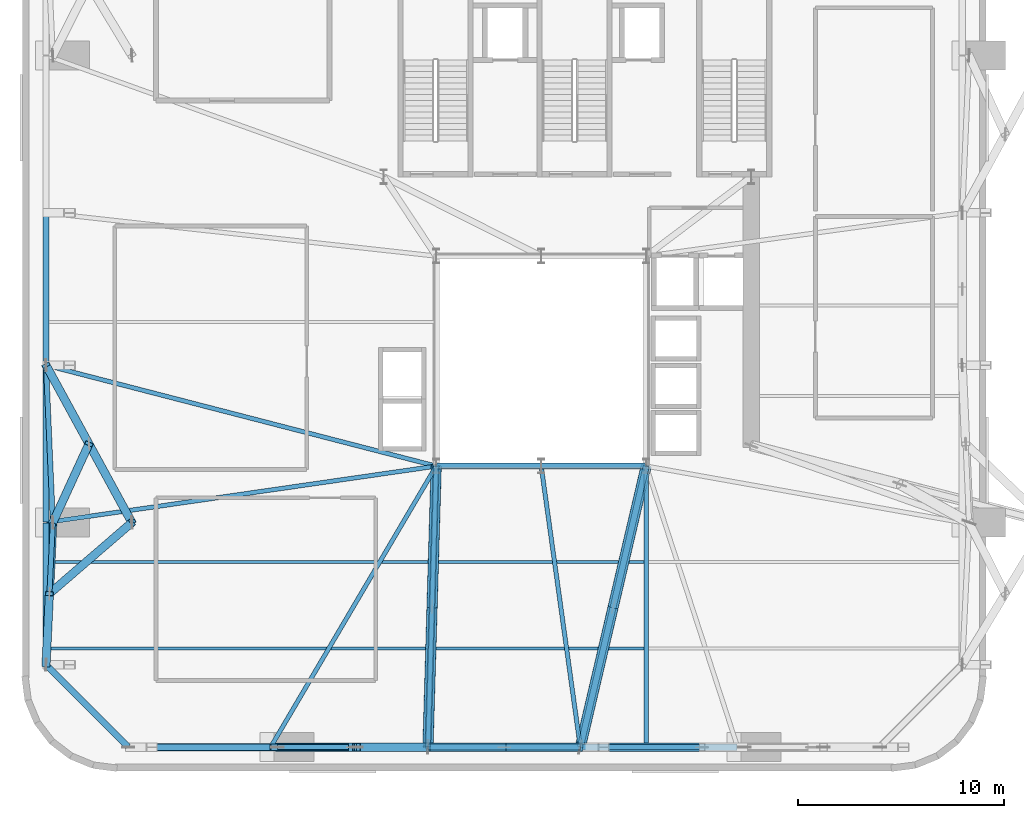
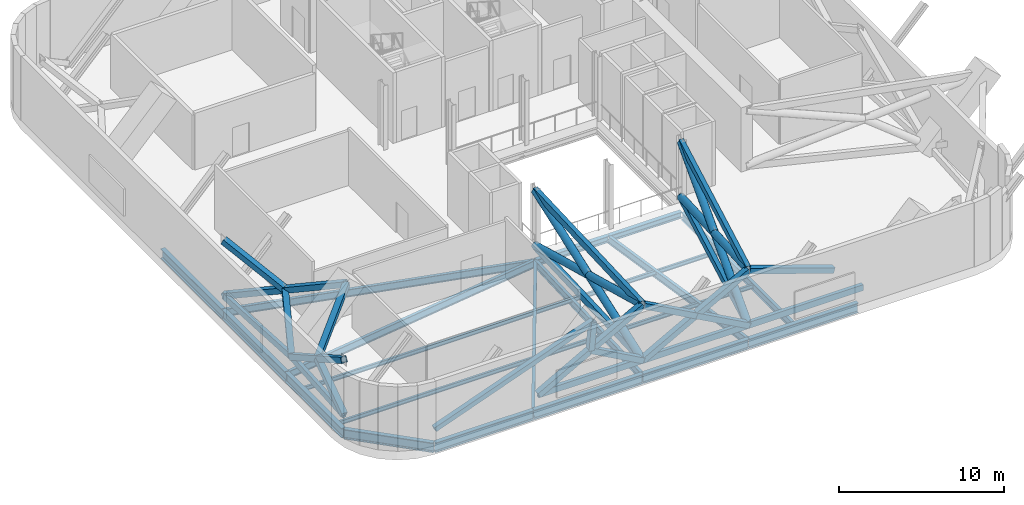
# One storey, part 3 of 14: 29 members, 18 beams.
"""IFC4 building model written with IfcOpenShell, lengths in metres."""

from ifc_helpers import new_model, si_unit, direction, frame, origin, origin_2d, place, context, subcontext, project, spatial, hollow_rectangle, hollow_circle, i_section, extrude, source, transform, mapped, material, material_profile, profile_set, type_object, element, save


model = new_model("IFC4")

# Units and contexts
model_context = context("Model", 3, precision=1e-05, world=origin(), true_north=direction((0.0, 1.0)))
body_context = subcontext(model_context, "Body", "Model", "MODEL_VIEW")
ifc_project = project(units=[si_unit("LENGTHUNIT", "METRE"), si_unit("AREAUNIT", "SQUARE_METRE"), si_unit("VOLUMEUNIT", "CUBIC_METRE"), si_unit("PLANEANGLEUNIT", "RADIAN"), si_unit("MASSUNIT", "GRAM", prefix="KILO")], contexts=[model_context])

# Site, building, storey
site_placement = place(None, origin())
site = spatial("IfcSite", under=ifc_project, at=site_placement, CompositionType="ELEMENT")
building_placement = place(site_placement, origin())
building = spatial("IfcBuilding", under=site, at=building_placement, Name="Vardaveli Station Tower", CompositionType="ELEMENT")
storey_placement = place(building_placement, frame((0.0, 0.0, 237.300048828125)))
storey = spatial("IfcBuildingStorey", under=building, at=storey_placement, Name="L61", CompositionType="ELEMENT", Elevation=237.300048828125)

# Beams
ifc_material_1 = material(Name="Structural steel S355J2", Category="steel")
ifc_material_profile_1 = material_profile(ifc_material_1, i_section(OverallWidth=0.300048828125, OverallDepth=0.449951171875, WebThickness=0.013916015625, FlangeThickness=0.02587890625, FilletRadius=0.027099609375, at=origin_2d()), Name="HEB 450")
ifc_profile_set_1 = profile_set([ifc_material_profile_1], Name="Structural steel S355J2")
beam_type_1 = type_object("IfcBeamType", Name="BM-HEB450", PredefinedType="BEAM", material=ifc_profile_set_1)
shared_shape_1 = source(origin(), body_context, "Body", "SweptSolid", [
    extrude(i_section(OverallWidth=0.300048828125, OverallDepth=0.449951171875, WebThickness=0.013916015625, FlangeThickness=0.02587890625, FilletRadius=0.027099609375, at=origin_2d()), origin(), (0.0, 0.0, 1.0), 5.06005859375),
])
beam_1_placement = place(storey_placement, frame((31.219970703125, 16.60009765625, -0.875), z_axis=(1.0, 0.0, 0.0), x_axis=(0.0, 1.0, 0.0)))
element("IfcBeam", 1, at=beam_1_placement, inside=storey, type_object=beam_type_1, Name="ABM-L61-01", PredefinedType="BEAM", context=body_context, shape_type="MappedRepresentation", body=[
    mapped(shared_shape_1, transform((0.0, 0.0, 0.0), scale=1.0)),
])
shared_shape_2 = source(origin(), body_context, "Body", "SweptSolid", [
    extrude(i_section(OverallWidth=0.300048828125, OverallDepth=0.449951171875, WebThickness=0.013916015625, FlangeThickness=0.02587890625, FilletRadius=0.027099609375, at=origin_2d()), origin(), (0.0, 0.0, 1.0), 5.059814453125),
])
beam_2_placement = place(storey_placement, frame((36.320068359375, 16.60009765625, -0.875), z_axis=(1.0, 0.0, 0.0), x_axis=(0.0, 1.0, 0.0)))
element("IfcBeam", 2, at=beam_2_placement, inside=storey, type_object=beam_type_1, Name="ABM-L61-02", PredefinedType="BEAM", context=body_context, shape_type="MappedRepresentation", body=[
    mapped(shared_shape_2, transform((0.0, 0.0, 0.0), scale=1.0)),
])
ifc_material_profile_2 = material_profile(ifc_material_1, i_section(OverallWidth=0.2099609375, OverallDepth=0.550048828125, WebThickness=0.010986328125, FlangeThickness=0.01708984375, FilletRadius=0.02392578125, at=origin_2d()), Name="IPE 550")
ifc_profile_set_2 = profile_set([ifc_material_profile_2], Name="Structural steel S355J2")
beam_type_2 = type_object("IfcBeamType", Name="BM-IPE550", PredefinedType="BEAM", material=ifc_profile_set_2)
shared_shape_3 = source(origin(), body_context, "Body", "SweptSolid", [
    extrude(i_section(OverallWidth=0.2099609375, OverallDepth=0.550048828125, WebThickness=0.010986328125, FlangeThickness=0.01708984375, FilletRadius=0.02392578125, at=origin_2d()), origin(), (0.0, 0.0, 1.0), 13.469970703125),
])
beam_3_placement = place(storey_placement, frame((41.39990234375, 2.989990234375, -0.925048828125), z_axis=(0.0, 1.0, 0.0), x_axis=(-1.0, 0.0, 0.0)))
element("IfcBeam", 3, at=beam_3_placement, inside=storey, type_object=beam_type_2, Name="NSM-L61-S2", PredefinedType="BEAM", context=body_context, shape_type="MappedRepresentation", body=[
    mapped(shared_shape_3, transform((0.0, 0.0, 0.0), scale=1.0)),
])
ifc_material_2 = material(Name="Structural steel S460M", Category="steel")
ifc_material_profile_3 = material_profile(ifc_material_2, i_section(OverallWidth=0.303955078125, OverallDepth=0.716064453125, WebThickness=0.02099609375, FlangeThickness=0.0400390625, FilletRadius=0.027099609375, at=origin_2d()), Name="HEM 700")
ifc_profile_set_3 = profile_set([ifc_material_profile_3], Name="Structural steel S460M")
beam_type_3 = type_object("IfcBeamType", Name="BM-HEM700", PredefinedType="BEAM", material=ifc_profile_set_3)
shared_shape_4 = source(origin(), body_context, "Body", "SweptSolid", [
    extrude(i_section(OverallWidth=0.303955078125, OverallDepth=0.716064453125, WebThickness=0.02099609375, FlangeThickness=0.0400390625, FilletRadius=0.027099609375, at=origin_2d()), origin(), (0.0, 0.0, 1.0), 7.60009765625),
])
for number, where, z_axis, x_axis, name in (
    (4, (23.179931640625, 2.949951171875, -1.008056640625), (1.0, 0.0, 0.0), (0.0, 1.0, 0.0), "RBM-L61-01"),
    (5, (38.219970703125, 2.949951171875, -1.008056640625), (1.0, 0.0, 0.0), (0.0, 1.0, 0.0), "RBM-L61-03"),
    (6, (12.25, 21.47998046875, -1.008056640625), (0.0, -1.0, 0.0), (1.0, 0.0, 0.0), "RBM-L61-21"),
):
    element("IfcBeam", number, at=place(storey_placement, frame(where, z_axis=z_axis, x_axis=x_axis)), inside=storey, type_object=beam_type_3, Name=name, PredefinedType="BEAM", context=body_context, shape_type="MappedRepresentation", body=[
        mapped(shared_shape_4, transform((0.0, 0.0, 0.0), scale=1.0)),
    ])
shared_shape_5 = source(origin(), body_context, "Body", "SweptSolid", [
    extrude(i_section(OverallWidth=0.303955078125, OverallDepth=0.716064453125, WebThickness=0.02099609375, FlangeThickness=0.0400390625, FilletRadius=0.027099609375, at=origin_2d()), origin(), (0.0, 0.0, 1.0), 7.35986328125),
])
for number, where, z_axis, x_axis, name in (
    (7, (30.820068359375, 2.949951171875, -1.008056640625), (1.0, 0.0, 0.0), (0.0, 1.0, 0.0), "RBM-L61-02"),
    (8, (12.25, 28.8798828125, -1.008056640625), (0.0, -1.0, 0.0), (1.0, 0.0, 0.0), "RBM-L61-20"),
):
    element("IfcBeam", number, at=place(storey_placement, frame(where, z_axis=z_axis, x_axis=x_axis)), inside=storey, type_object=beam_type_3, Name=name, PredefinedType="BEAM", context=body_context, shape_type="MappedRepresentation", body=[
        mapped(shared_shape_5, transform((0.0, 0.0, 0.0), scale=1.0)),
    ])
shared_shape_6 = source(origin(), body_context, "Body", "SweptSolid", [
    extrude(i_section(OverallWidth=0.303955078125, OverallDepth=0.716064453125, WebThickness=0.02099609375, FlangeThickness=0.0400390625, FilletRadius=0.027099609375, at=origin_2d()), origin(), (0.0, 0.0, 1.0), 6.869873046875),
])
beam_4_placement = place(storey_placement, frame((16.27001953125, 2.949951171875, -1.008056640625), z_axis=(1.0, 0.0, 0.0), x_axis=(0.0, 1.0, 0.0)))
element("IfcBeam", 9, at=beam_4_placement, inside=storey, type_object=beam_type_3, Name="RBM-L61-24", PredefinedType="BEAM", context=body_context, shape_type="MappedRepresentation", body=[
    mapped(shared_shape_6, transform((0.0, 0.0, 0.0), scale=1.0)),
])
shared_shape_7 = source(origin(), body_context, "Body", "SweptSolid", [
    extrude(i_section(OverallWidth=0.303955078125, OverallDepth=0.716064453125, WebThickness=0.02099609375, FlangeThickness=0.0400390625, FilletRadius=0.027099609375, at=origin_2d()), origin(), (0.0, 0.0, 1.0), 5.61669921875),
])
beam_5_placement = place(storey_placement, frame((12.26416015625, 6.935791015625, -1.008056640625), z_axis=(0.707106781187, -0.707106781187, 0.0), x_axis=(0.707106781187, 0.707106781187, 0.0)))
element("IfcBeam", 10, at=beam_5_placement, inside=storey, type_object=beam_type_3, Name="RBM-L61-23", PredefinedType="BEAM", context=body_context, shape_type="MappedRepresentation", body=[
    mapped(shared_shape_7, transform((0.0, 0.0, 0.0), scale=1.0)),
])
shared_shape_8 = source(origin(), body_context, "Body", "SweptSolid", [
    extrude(i_section(OverallWidth=0.303955078125, OverallDepth=0.716064453125, WebThickness=0.02099609375, FlangeThickness=0.0400390625, FilletRadius=0.027099609375, at=origin_2d()), origin(), (0.0, 0.0, 1.0), 6.8701171875),
])
beam_6_placement = place(storey_placement, frame((12.25, 13.840087890625, -1.008056640625), z_axis=(0.0, -1.0, 0.0), x_axis=(1.0, 0.0, 0.0)))
element("IfcBeam", 11, at=beam_6_placement, inside=storey, type_object=beam_type_3, Name="RBM-L61-22", PredefinedType="BEAM", context=body_context, shape_type="MappedRepresentation", body=[
    mapped(shared_shape_8, transform((0.0, 0.0, 0.0), scale=1.0)),
])
shared_shape_9 = source(origin(), body_context, "Body", "SweptSolid", [
    extrude(i_section(OverallWidth=0.2099609375, OverallDepth=0.550048828125, WebThickness=0.010986328125, FlangeThickness=0.01708984375, FilletRadius=0.02392578125, at=origin_2d()), origin(), (0.0, 0.0, 1.0), 15.8017578125),
])
beam_7_placement = place(storey_placement, frame((23.170166015625, 2.96728515625, -0.925048828125), z_axis=(0.507521713546, 0.86163896748, 0.0), x_axis=(-0.86163896748, 0.507521713546, 0.0)))
element("IfcBeam", 12, at=beam_7_placement, inside=storey, type_object=beam_type_2, Name="GBM-L61-01", PredefinedType="BEAM", context=body_context, shape_type="MappedRepresentation", body=[
    mapped(shared_shape_9, transform((0.0, 0.0, 0.0), scale=1.0)),
])
shared_shape_10 = source(origin(), body_context, "Body", "SweptSolid", [
    extrude(i_section(OverallWidth=0.2099609375, OverallDepth=0.550048828125, WebThickness=0.010986328125, FlangeThickness=0.01708984375, FilletRadius=0.02392578125, at=origin_2d()), origin(), (0.0, 0.0, 1.0), 13.615966796875),
])
beam_8_placement = place(storey_placement, frame((30.800537109375, 2.969970703125, -0.925048828125), z_axis=(0.029298411379, 0.9995707094, 0.0), x_axis=(-0.9995707094, 0.029298411379, 0.0)))
element("IfcBeam", 13, at=beam_8_placement, inside=storey, type_object=beam_type_2, Name="GBM-L61-02", PredefinedType="BEAM", context=body_context, shape_type="MappedRepresentation", body=[
    mapped(shared_shape_10, transform((0.0, 0.0, 0.0), scale=1.0)),
])
shared_shape_11 = source(origin(), body_context, "Body", "SweptSolid", [
    extrude(i_section(OverallWidth=0.2099609375, OverallDepth=0.550048828125, WebThickness=0.010986328125, FlangeThickness=0.01708984375, FilletRadius=0.02392578125, at=origin_2d()), origin(), (0.0, 0.0, 1.0), 13.741455078125),
])
beam_9_placement = place(storey_placement, frame((38.197265625, 2.9697265625, -0.925048828125), z_axis=(-0.137868554024, 0.990450534762, 0.0), x_axis=(-0.990450534762, -0.137868554024, 0.0)))
element("IfcBeam", 14, at=beam_9_placement, inside=storey, type_object=beam_type_2, Name="GBM-L61-03", PredefinedType="BEAM", context=body_context, shape_type="MappedRepresentation", body=[
    mapped(shared_shape_11, transform((0.0, 0.0, 0.0), scale=1.0)),
])
shared_shape_12 = source(origin(), body_context, "Body", "SweptSolid", [
    extrude(i_section(OverallWidth=0.2099609375, OverallDepth=0.550048828125, WebThickness=0.010986328125, FlangeThickness=0.01708984375, FilletRadius=0.02392578125, at=origin_2d()), origin(), (0.0, 0.0, 1.0), 19.533447265625),
])
beam_10_placement = place(storey_placement, frame((12.269287109375, 21.494873046875, -0.925048828125), z_axis=(0.968159081778, -0.250335759272, 0.0), x_axis=(0.250335759272, 0.968159081778, 0.0)))
element("IfcBeam", 15, at=beam_10_placement, inside=storey, type_object=beam_type_2, Name="GBM-L61-09", PredefinedType="BEAM", context=body_context, shape_type="MappedRepresentation", body=[
    mapped(shared_shape_12, transform((0.0, 0.0, 0.0), scale=1.0)),
])
shared_shape_13 = source(origin(), body_context, "Body", "SweptSolid", [
    extrude(i_section(OverallWidth=0.2099609375, OverallDepth=0.550048828125, WebThickness=0.010986328125, FlangeThickness=0.01708984375, FilletRadius=0.02392578125, at=origin_2d()), origin(), (0.0, 0.0, 1.0), 19.107177734375),
])
beam_11_placement = place(storey_placement, frame((12.269775390625, 13.86279296875, -0.925048828125), z_axis=(0.989707072711, 0.143108036903, 0.0), x_axis=(-0.143108036903, 0.989707072711, 0.0)))
element("IfcBeam", 16, at=beam_11_placement, inside=storey, type_object=beam_type_2, Name="GBM-L61-10", PredefinedType="BEAM", context=body_context, shape_type="MappedRepresentation", body=[
    mapped(shared_shape_13, transform((0.0, 0.0, 0.0), scale=1.0)),
])
ifc_material_profile_4 = material_profile(ifc_material_1, i_section(OverallWidth=0.14990234375, OverallDepth=0.300048828125, WebThickness=0.007080078125, FlangeThickness=0.0107421875, FilletRadius=0.014892578125, at=origin_2d()), Name="IPE 300")
ifc_profile_set_4 = profile_set([ifc_material_profile_4], Name="Structural steel S355J2")
beam_type_4 = type_object("IfcBeamType", Name="BM-IPE300", PredefinedType="JOIST", material=ifc_profile_set_4)
shared_shape_14 = source(origin(), body_context, "Body", "SweptSolid", [
    extrude(i_section(OverallWidth=0.14990234375, OverallDepth=0.300048828125, WebThickness=0.007080078125, FlangeThickness=0.0107421875, FilletRadius=0.014892578125, at=origin_2d()), origin(), (0.0, 0.0, 1.0), 28.998046875),
])
for number, where, z_axis, x_axis, name in (
    (17, (12.2900390625, 7.75, -0.800048828125), (1.0, 0.0, 0.0), (0.0, 1.0, 0.0), "SJ-L61-S01"),
    (18, (12.2900390625, 11.949951171875, -0.800048828125), (1.0, 0.0, 0.0), (0.0, 1.0, 0.0), "SJ-L61-S03"),
):
    element("IfcBeam", number, at=place(storey_placement, frame(where, z_axis=z_axis, x_axis=x_axis)), inside=storey, type_object=beam_type_4, Name=name, PredefinedType="JOIST", context=body_context, shape_type="MappedRepresentation", body=[
        mapped(shared_shape_14, transform((0.0, 0.0, 0.0), scale=1.0)),
    ])

# Members
ifc_material_profile_5 = material_profile(ifc_material_2, hollow_rectangle(XDim=0.25, YDim=0.449951171875, WallThickness=0.01611328125, at=origin_2d()), Name="RHS 450x250x16")
ifc_profile_set_5 = profile_set([ifc_material_profile_5], Name="Structural steel S460M")
member_type_1 = type_object("IfcMemberType", Name="MEM-CH-RHS450", PredefinedType="CHORD", material=ifc_profile_set_5)
shared_shape_15 = source(origin(), body_context, "Body", "SweptSolid", [
    extrude(hollow_rectangle(XDim=0.25, YDim=0.449951171875, WallThickness=0.01611328125, at=origin_2d()), origin(), (0.0, 0.0, 1.0), 7.308349609375),
])
member_1_placement = place(storey_placement, frame((23.49169921875, 2.949951171875, 0.349853515625), z_axis=(1.0, 0.0, 0.0), x_axis=(0.0, 1.0, 0.0)))
element("IfcMember", 19, at=member_1_placement, inside=storey, type_object=member_type_1, Name="BLT-L61-CH-01", PredefinedType="CHORD", context=body_context, shape_type="MappedRepresentation", body=[
    mapped(shared_shape_15, transform((0.0, 0.0, 0.0), scale=1.0)),
])
ifc_material_profile_6 = material_profile(ifc_material_2, hollow_rectangle(XDim=0.39990234375, YDim=0.39990234375, WallThickness=0.02001953125, at=origin_2d()), Name="RHS 400x400x20")
ifc_profile_set_6 = profile_set([ifc_material_profile_6], Name="Structural steel S460M")
member_type_2 = type_object("IfcMemberType", Name="MEM-BR-RHS400", PredefinedType="BRACE", material=ifc_profile_set_6)
shared_shape_16 = source(origin(), body_context, "Body", "SweptSolid", [
    extrude(hollow_rectangle(XDim=0.39990234375, YDim=0.39990234375, WallThickness=0.02001953125, at=origin_2d()), origin(), (0.0, 0.0, 1.0), 8.35546875),
])
member_2_placement = place(storey_placement, frame((23.49169921875, 2.949951171875, 0.349853515625), z_axis=(0.874672251849, 0.0, 0.484714814963), x_axis=(0.0, 1.0, 0.0)))
element("IfcMember", 20, at=member_2_placement, inside=storey, type_object=member_type_2, Name="BLT-L61-D1-01", PredefinedType="BRACE", context=body_context, shape_type="MappedRepresentation", body=[
    mapped(shared_shape_16, transform((0.0, 0.0, 0.0), scale=1.0)),
])
shared_shape_17 = source(origin(), body_context, "Body", "SweptSolid", [
    extrude(hollow_rectangle(XDim=0.39990234375, YDim=0.39990234375, WallThickness=0.02001953125, at=origin_2d()), origin(), (0.0, 0.0, 1.0), 4.177978515625),
])
member_3_placement = place(storey_placement, frame((30.800048828125, 2.949951171875, 0.349853515625), z_axis=(-0.874666729081, 0.0, 0.484724780714), x_axis=(0.0, -1.0, 0.0)))
element("IfcMember", 21, at=member_3_placement, inside=storey, type_object=member_type_2, Name="BLT-L61-D2A-01", PredefinedType="BRACE", context=body_context, shape_type="MappedRepresentation", body=[
    mapped(shared_shape_17, transform((0.0, 0.0, 0.0), scale=1.0)),
])
shared_shape_18 = source(origin(), body_context, "Body", "SweptSolid", [
    extrude(hollow_rectangle(XDim=0.39990234375, YDim=0.39990234375, WallThickness=0.02001953125, at=origin_2d()), origin(), (0.0, 0.0, 1.0), 2.033203125),
])
member_4_placement = place(storey_placement, frame((27.145751953125, 2.949951171875, 2.375), z_axis=(0.089821137984, 0.0, 0.995957912349), x_axis=(0.0, 1.0, 0.0)))
element("IfcMember", 22, at=member_4_placement, inside=storey, type_object=member_type_2, Name="BLT-L61-D2B-01", PredefinedType="BRACE", context=body_context, shape_type="MappedRepresentation", body=[
    mapped(shared_shape_18, transform((0.0, 0.0, 0.0), scale=1.0)),
])
shared_shape_19 = source(origin(), body_context, "Body", "SweptSolid", [
    extrude(hollow_rectangle(XDim=0.25, YDim=0.449951171875, WallThickness=0.01611328125, at=origin_2d()), origin(), (0.0, 0.0, 1.0), 7.39990234375),
])
member_5_placement = place(storey_placement, frame((30.800048828125, 2.949951171875, 0.349853515625), z_axis=(1.0, 0.0, 0.0), x_axis=(0.0, 1.0, 0.0)))
element("IfcMember", 23, at=member_5_placement, inside=storey, type_object=member_type_1, Name="BLT-L61-CH-02", PredefinedType="CHORD", context=body_context, shape_type="MappedRepresentation", body=[
    mapped(shared_shape_19, transform((0.0, 0.0, 0.0), scale=1.0)),
])
shared_shape_20 = source(origin(), body_context, "Body", "SweptSolid", [
    extrude(hollow_rectangle(XDim=0.39990234375, YDim=0.39990234375, WallThickness=0.02001953125, at=origin_2d()), origin(), (0.0, 0.0, 1.0), 8.435791015625),
])
member_6_placement = place(storey_placement, frame((30.800048828125, 2.949951171875, 0.349853515625), z_axis=(0.877210039359, 0.0, 0.480106807751), x_axis=(0.0, 1.0, 0.0)))
element("IfcMember", 24, at=member_6_placement, inside=storey, type_object=member_type_2, Name="BLT-L61-D1-02", PredefinedType="BRACE", context=body_context, shape_type="MappedRepresentation", body=[
    mapped(shared_shape_20, transform((0.0, 0.0, 0.0), scale=1.0)),
])
shared_shape_21 = source(origin(), body_context, "Body", "SweptSolid", [
    extrude(hollow_rectangle(XDim=0.39990234375, YDim=0.39990234375, WallThickness=0.02001953125, at=origin_2d()), origin(), (0.0, 0.0, 1.0), 4.218017578125),
])
member_7_placement = place(storey_placement, frame((38.199951171875, 2.949951171875, 0.349853515625), z_axis=(-0.877197850497, 0.0, 0.480129077524), x_axis=(0.0, -1.0, 0.0)))
element("IfcMember", 25, at=member_7_placement, inside=storey, type_object=member_type_2, Name="BLT-L61-D2A-02", PredefinedType="BRACE", context=body_context, shape_type="MappedRepresentation", body=[
    mapped(shared_shape_21, transform((0.0, 0.0, 0.0), scale=1.0)),
])
shared_shape_22 = source(origin(), body_context, "Body", "SweptSolid", [
    extrude(hollow_rectangle(XDim=0.39990234375, YDim=0.39990234375, WallThickness=0.02001953125, at=origin_2d()), origin(), (0.0, 0.0, 1.0), 4.2177734375),
])
member_8_placement = place(storey_placement, frame((34.5, 2.949951171875, 2.375), z_axis=(-0.877222227994, 0.0, 0.480084537049), x_axis=(0.0, -1.0, 0.0)))
element("IfcMember", 26, at=member_8_placement, inside=storey, type_object=member_type_2, Name="BLT-L61-D2B-02", PredefinedType="BRACE", context=body_context, shape_type="MappedRepresentation", body=[
    mapped(shared_shape_22, transform((0.0, 0.0, 0.0), scale=1.0)),
])
shared_shape_23 = source(origin(), body_context, "Body", "SweptSolid", [
    extrude(hollow_rectangle(XDim=0.25, YDim=0.449951171875, WallThickness=0.01611328125, at=origin_2d()), origin(), (0.0, 0.0, 1.0), 7.9716796875),
])
member_9_placement = place(storey_placement, frame((38.199951171875, 2.949951171875, 0.349853515625), z_axis=(1.0, 0.0, 0.0), x_axis=(0.0, 1.0, 0.0)))
element("IfcMember", 27, at=member_9_placement, inside=storey, type_object=member_type_1, Name="BLT-L61-CH-03", PredefinedType="CHORD", context=body_context, shape_type="MappedRepresentation", body=[
    mapped(shared_shape_23, transform((0.0, 0.0, 0.0), scale=1.0)),
])
shared_shape_24 = source(origin(), body_context, "Body", "SweptSolid", [
    extrude(hollow_rectangle(XDim=0.39990234375, YDim=0.39990234375, WallThickness=0.02001953125, at=origin_2d()), origin(), (0.0, 0.0, 1.0), 6.241943359375),
])
member_10_placement = place(storey_placement, frame((44.104248046875, 2.949951171875, 2.375), z_axis=(-0.945917828762, 0.0, 0.324406321194), x_axis=(0.0, -1.0, 0.0)))
element("IfcMember", 28, at=member_10_placement, inside=storey, type_object=member_type_2, Name="BLT-L61-D2B-03", PredefinedType="BRACE", context=body_context, shape_type="MappedRepresentation", body=[
    mapped(shared_shape_24, transform((0.0, 0.0, 0.0), scale=1.0)),
])
shared_shape_25 = source(origin(), body_context, "Body", "SweptSolid", [
    extrude(hollow_rectangle(XDim=0.25, YDim=0.449951171875, WallThickness=0.01611328125, at=origin_2d()), origin(), (0.0, 0.0, 1.0), 6.918212890625),
])
member_11_placement = place(storey_placement, frame((12.58154296875, 13.860107421875, 0.349853515625), z_axis=(-0.047923955643, -0.998850987122, 0.0), x_axis=(0.998850987122, -0.047923955643, 0.0)))
element("IfcMember", 29, at=member_11_placement, inside=storey, type_object=member_type_1, Name="BLT-L61-CH-15", PredefinedType="CHORD", context=body_context, shape_type="MappedRepresentation", body=[
    mapped(shared_shape_25, transform((0.0, 0.0, 0.0), scale=1.0)),
])
shared_shape_26 = source(origin(), body_context, "Body", "SweptSolid", [
    extrude(hollow_rectangle(XDim=0.25, YDim=0.449951171875, WallThickness=0.01611328125, at=origin_2d()), origin(), (0.0, 0.0, 1.0), 7.64697265625),
])
member_12_placement = place(storey_placement, frame((12.25, 21.5, 0.349853515625), z_axis=(0.043355481573, -0.999059709035, 0.0), x_axis=(0.999059709035, 0.043355481573, 0.0)))
element("IfcMember", 30, at=member_12_placement, inside=storey, type_object=member_type_1, Name="BLT-L61-CH-14", PredefinedType="CHORD", context=body_context, shape_type="MappedRepresentation", body=[
    mapped(shared_shape_26, transform((0.0, 0.0, 0.0), scale=1.0)),
])
shared_shape_27 = source(origin(), body_context, "Body", "SweptSolid", [
    extrude(hollow_rectangle(XDim=0.39990234375, YDim=0.39990234375, WallThickness=0.02001953125, at=origin_2d()), origin(), (0.0, 0.0, 1.0), 4.7998046875),
])
member_13_placement = place(storey_placement, frame((14.334228515625, 17.679931640625, 2.375), z_axis=(-0.434241035419, 0.795896624247, 0.421880654535), x_axis=(-0.877841965924, -0.478950397079, 0.0)))
element("IfcMember", 31, at=member_13_placement, inside=storey, type_object=member_type_2, Name="BLT-L61-D2B-14", PredefinedType="BRACE", context=body_context, shape_type="MappedRepresentation", body=[
    mapped(shared_shape_27, transform((0.0, 0.0, 0.0), scale=1.0)),
])
shared_shape_28 = source(origin(), body_context, "Body", "SweptSolid", [
    extrude(hollow_rectangle(XDim=0.39990234375, YDim=0.39990234375, WallThickness=0.02001953125, at=origin_2d()), origin(), (0.0, 0.0, 1.0), 9.599365234375),
])
member_14_placement = place(storey_placement, frame((12.25, 21.5, 0.349853515625), z_axis=(0.43424516583, -0.795878761527, 0.421910100501), x_axis=(0.877835530868, 0.478962191354, 0.0)))
element("IfcMember", 32, at=member_14_placement, inside=storey, type_object=member_type_2, Name="BLT-L61-D1-14", PredefinedType="BRACE", context=body_context, shape_type="MappedRepresentation", body=[
    mapped(shared_shape_28, transform((0.0, 0.0, 0.0), scale=1.0)),
])
shared_shape_29 = source(origin(), body_context, "Body", "SweptSolid", [
    extrude(hollow_rectangle(XDim=0.39990234375, YDim=0.39990234375, WallThickness=0.02001953125, at=origin_2d()), origin(), (0.0, 0.0, 1.0), 4.665283203125),
])
member_15_placement = place(storey_placement, frame((12.58154296875, 13.860107421875, 0.349853515625), z_axis=(0.375692764614, 0.818789385034, 0.434095484396), x_axis=(-0.908890554032, 0.417034723724, 0.0)))
element("IfcMember", 33, at=member_15_placement, inside=storey, type_object=member_type_2, Name="BLT-L61-D2A-14", PredefinedType="BRACE", context=body_context, shape_type="MappedRepresentation", body=[
    mapped(shared_shape_29, transform((0.0, 0.0, 0.0), scale=1.0)),
])
shared_shape_30 = source(origin(), body_context, "Body", "SweptSolid", [
    extrude(hollow_rectangle(XDim=0.39990234375, YDim=0.39990234375, WallThickness=0.02001953125, at=origin_2d()), origin(), (0.0, 0.0, 1.0), 8.016357421875),
])
member_16_placement = place(storey_placement, frame((12.58154296875, 13.860107421875, 0.349853515625), z_axis=(-0.041357956148, -0.861999698675, 0.505218803043), x_axis=(0.998850987122, -0.047923955643, 0.0)))
element("IfcMember", 34, at=member_16_placement, inside=storey, type_object=member_type_2, Name="BLT-L61-D1-15", PredefinedType="BRACE", context=body_context, shape_type="MappedRepresentation", body=[
    mapped(shared_shape_30, transform((0.0, 0.0, 0.0), scale=1.0)),
])
shared_shape_31 = source(origin(), body_context, "Body", "SweptSolid", [
    extrude(hollow_rectangle(XDim=0.39990234375, YDim=0.39990234375, WallThickness=0.02001953125, at=origin_2d()), origin(), (0.0, 0.0, 1.0), 4.00830078125),
])
member_17_placement = place(storey_placement, frame((12.25, 6.949951171875, 0.349853515625), z_axis=(0.04135731979, 0.861986435455, 0.505241484037), x_axis=(-0.998850987122, 0.047923955643, 0.0)))
element("IfcMember", 35, at=member_17_placement, inside=storey, type_object=member_type_2, Name="BLT-L61-D2A-15", PredefinedType="BRACE", context=body_context, shape_type="MappedRepresentation", body=[
    mapped(shared_shape_31, transform((0.0, 0.0, 0.0), scale=1.0)),
])
shared_shape_32 = source(origin(), body_context, "Body", "SweptSolid", [
    extrude(hollow_rectangle(XDim=0.39990234375, YDim=0.39990234375, WallThickness=0.02001953125, at=origin_2d()), origin(), (0.0, 0.0, 1.0), 5.662109375),
])
member_18_placement = place(storey_placement, frame((12.415771484375, 10.405029296875, 2.375), z_axis=(0.706926969615, 0.610212288746, 0.357624415126), x_axis=(-0.653426309015, 0.756990131169, 0.0)))
element("IfcMember", 36, at=member_18_placement, inside=storey, type_object=member_type_2, Name="BLT-L61-D2B-15", PredefinedType="BRACE", context=body_context, shape_type="MappedRepresentation", body=[
    mapped(shared_shape_32, transform((0.0, 0.0, 0.0), scale=1.0)),
])
ifc_material_profile_7 = material_profile(ifc_material_2, hollow_rectangle(XDim=0.35009765625, YDim=0.35009765625, WallThickness=0.01611328125, at=origin_2d()), Name="RHS 350x350x16")
ifc_profile_set_7 = profile_set([ifc_material_profile_7], Name="Structural steel S460M")
member_type_3 = type_object("IfcMemberType", Name="MEM-ST-RHS350", PredefinedType="STRUT", material=ifc_profile_set_7)
shared_shape_33 = source(origin(), body_context, "Body", "SweptSolid", [
    extrude(hollow_rectangle(XDim=0.35009765625, YDim=0.35009765625, WallThickness=0.01611328125, at=origin_2d()), origin(), (0.0, 0.0, 1.0), 11.79541015625),
])
member_19_placement = place(storey_placement, frame((16.25, 2.949951171875, 0.349853515625), z_axis=(0.939205247186, 0.0, 0.343356234338), x_axis=(0.0, 1.0, 0.0)))
element("IfcMember", 37, at=member_19_placement, inside=storey, type_object=member_type_3, Name="STRUT-L61-1", PredefinedType="STRUT", context=body_context, shape_type="MappedRepresentation", body=[
    mapped(shared_shape_33, transform((0.0, 0.0, 0.0), scale=1.0)),
])
ifc_material_profile_8 = material_profile(ifc_material_2, hollow_rectangle(XDim=0.300048828125, YDim=0.5, WallThickness=0.02001953125, at=origin_2d()), Name="RHS 500x300x20")
ifc_profile_set_8 = profile_set([ifc_material_profile_8], Name="Structural steel S460M")
member_type_4 = type_object("IfcMemberType", Name="MEM-CH-RHS500", PredefinedType="CHORD", material=ifc_profile_set_8)
shared_shape_34 = source(origin(), body_context, "Body", "SweptSolid", [
    extrude(hollow_rectangle(XDim=0.300048828125, YDim=0.5, WallThickness=0.02001953125, at=origin_2d()), origin(), (0.0, 0.0, 1.0), 13.656005859375),
])
for number, where, z_axis, x_axis, name in (
    (38, (31.199951171875, 16.60009765625, 0.349853515625), (-0.029283996243, -0.999571131818, 0.0), (0.999571131818, -0.029283996243, 0.0), "OUT-L61-OA1-CHB"),
    (39, (31.199951171875, 16.60009765625, 4.39990234375), (-0.029283996243, -0.999571131818, 0.0), (0.999571131818, -0.029283996243, 0.0), "OUT-L61-OA1-CHT"),
):
    element("IfcMember", number, at=place(storey_placement, frame(where, z_axis=z_axis, x_axis=x_axis)), inside=storey, type_object=member_type_4, Name=name, PredefinedType="CHORD", context=body_context, shape_type="MappedRepresentation", body=[
        mapped(shared_shape_34, transform((0.0, 0.0, 0.0), scale=1.0)),
    ])
ifc_material_profile_9 = material_profile(ifc_material_2, hollow_circle(Radius=0.25390625, WallThickness=0.02490234375, at=origin_2d()), Name="CHS 508x25")
ifc_profile_set_9 = profile_set([ifc_material_profile_9], Name="Structural steel S460M")
member_type_5 = type_object("IfcMemberType", Name="MEM-BR-CHS508", PredefinedType="BRACE", material=ifc_profile_set_9)
shared_shape_35 = source(origin(), body_context, "Body", "SweptSolid", [
    extrude(hollow_circle(Radius=0.25390625, WallThickness=0.02490234375, at=origin_2d()), origin(), (0.0, 0.0, 1.0), 14.243896484375),
])
member_20_placement = place(storey_placement, frame((31.199951171875, 16.60009765625, 0.349853515625), z_axis=(-0.028075297049, -0.958313756587, 0.284335227559), x_axis=(0.999571131818, -0.029283996243, 0.0)))
element("IfcMember", 40, at=member_20_placement, inside=storey, type_object=member_type_5, Name="OUT-L61-OA1-D1", PredefinedType="BRACE", context=body_context, shape_type="MappedRepresentation", body=[
    mapped(shared_shape_35, transform((0.0, 0.0, 0.0), scale=1.0)),
])
shared_shape_36 = source(origin(), body_context, "Body", "SweptSolid", [
    extrude(hollow_circle(Radius=0.25390625, WallThickness=0.02490234375, at=origin_2d()), origin(), (0.0, 0.0, 1.0), 7.121826171875),
])
member_21_placement = place(storey_placement, frame((30.800048828125, 2.949951171875, 0.349853515625), z_axis=(0.028075621371, 0.958307686738, 0.284355652352), x_axis=(-0.999571116486, 0.029284519564, 0.0)))
element("IfcMember", 41, at=member_21_placement, inside=storey, type_object=member_type_5, Name="OUT-L61-OA1-D2A", PredefinedType="BRACE", context=body_context, shape_type="MappedRepresentation", body=[
    mapped(shared_shape_36, transform((0.0, 0.0, 0.0), scale=1.0)),
])
shared_shape_37 = source(origin(), body_context, "Body", "SweptSolid", [
    extrude(hollow_circle(Radius=0.25390625, WallThickness=0.02490234375, at=origin_2d()), origin(), (0.0, 0.0, 1.0), 7.1220703125),
])
member_22_placement = place(storey_placement, frame((31.0, 9.77490234375, 2.375), z_axis=(0.028074972721, 0.958319825862, 0.284314803108), x_axis=(-0.999571147149, 0.02928347294, 0.0)))
element("IfcMember", 42, at=member_22_placement, inside=storey, type_object=member_type_5, Name="OUT-L61-OA1-D2B", PredefinedType="BRACE", context=body_context, shape_type="MappedRepresentation", body=[
    mapped(shared_shape_37, transform((0.0, 0.0, 0.0), scale=1.0)),
])
shared_shape_38 = source(origin(), body_context, "Body", "SweptSolid", [
    extrude(hollow_rectangle(XDim=0.300048828125, YDim=0.5, WallThickness=0.02001953125, at=origin_2d()), origin(), (0.0, 0.0, 1.0), 14.020263671875),
])
for number, where, z_axis, x_axis, name in (
    (43, (41.39990234375, 16.60009765625, 0.349853515625), (-0.228238521483, -0.973605247167, 0.0), (0.973605247167, -0.228238521483, 0.0), "OUT-L61-OA2-CHB"),
    (44, (41.39990234375, 16.60009765625, 4.39990234375), (-0.228238521483, -0.973605247167, 0.0), (0.973605247167, -0.228238521483, 0.0), "OUT-L61-OA2-CHT"),
):
    element("IfcMember", number, at=place(storey_placement, frame(where, z_axis=z_axis, x_axis=x_axis)), inside=storey, type_object=member_type_4, Name=name, PredefinedType="CHORD", context=body_context, shape_type="MappedRepresentation", body=[
        mapped(shared_shape_38, transform((0.0, 0.0, 0.0), scale=1.0)),
    ])
shared_shape_39 = source(origin(), body_context, "Body", "SweptSolid", [
    extrude(hollow_circle(Radius=0.25390625, WallThickness=0.02490234375, at=origin_2d()), origin(), (0.0, 0.0, 1.0), 14.593505859375),
])
member_23_placement = place(storey_placement, frame((41.39990234375, 16.60009765625, 0.349853515625), z_axis=(-0.21927295632, -0.935360514291, 0.277524915876), x_axis=(0.973605247167, -0.228238521483, 0.0)))
element("IfcMember", 45, at=member_23_placement, inside=storey, type_object=member_type_5, Name="OUT-L61-OA2-D1", PredefinedType="BRACE", context=body_context, shape_type="MappedRepresentation", body=[
    mapped(shared_shape_39, transform((0.0, 0.0, 0.0), scale=1.0)),
])
shared_shape_40 = source(origin(), body_context, "Body", "SweptSolid", [
    extrude(hollow_circle(Radius=0.25390625, WallThickness=0.02490234375, at=origin_2d()), origin(), (0.0, 0.0, 1.0), 7.296630859375),
])
member_24_placement = place(storey_placement, frame((38.199951171875, 2.949951171875, 0.349853515625), z_axis=(0.219291294609, 0.935350647056, 0.277543681536), x_axis=(-0.973600470251, 0.228258897586, 0.0)))
element("IfcMember", 46, at=member_24_placement, inside=storey, type_object=member_type_5, Name="OUT-L61-OA2-D2A", PredefinedType="BRACE", context=body_context, shape_type="MappedRepresentation", body=[
    mapped(shared_shape_40, transform((0.0, 0.0, 0.0), scale=1.0)),
])
shared_shape_41 = source(origin(), body_context, "Body", "SweptSolid", [
    extrude(hollow_circle(Radius=0.25390625, WallThickness=0.02490234375, at=origin_2d()), origin(), (0.0, 0.0, 1.0), 7.296875),
])
member_25_placement = place(storey_placement, frame((39.800048828125, 9.77490234375, 2.375), z_axis=(0.219254618127, 0.935370380646, 0.277506150275), x_axis=(-0.973610023533, 0.228218145808, 0.0)))
element("IfcMember", 47, at=member_25_placement, inside=storey, type_object=member_type_5, Name="OUT-L61-OA2-D2B", PredefinedType="BRACE", context=body_context, shape_type="MappedRepresentation", body=[
    mapped(shared_shape_41, transform((0.0, 0.0, 0.0), scale=1.0)),
])

save(model, "model.ifc")
